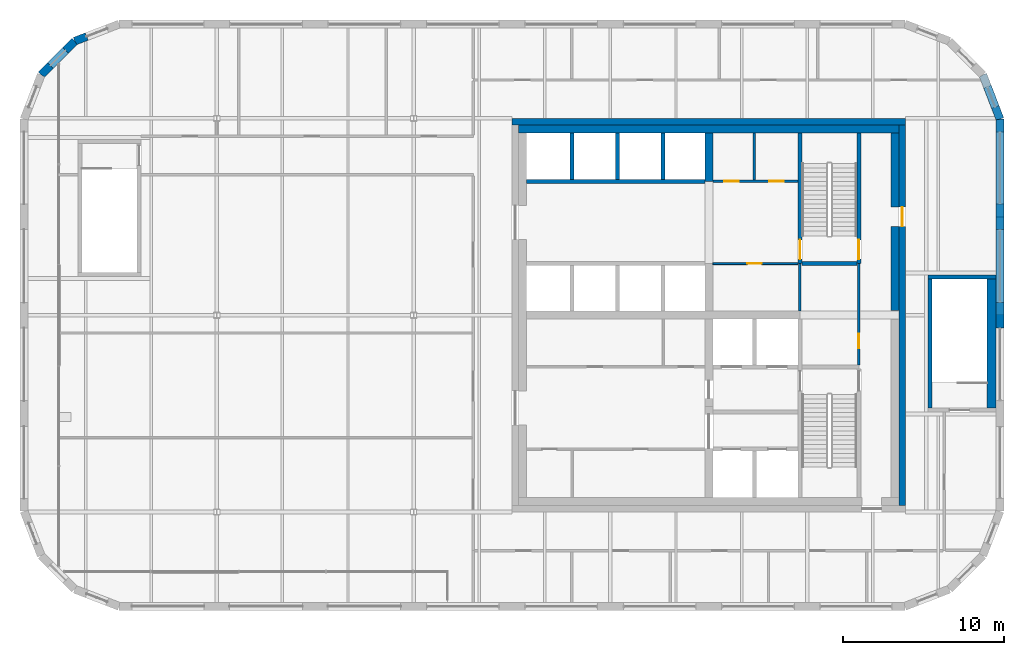
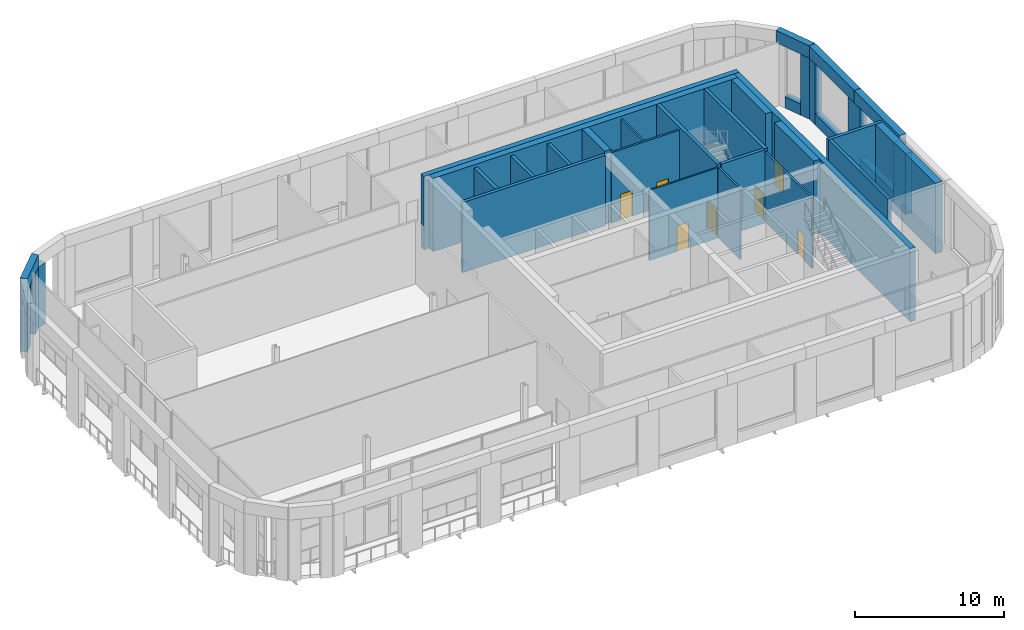
# One storey, part 15 of 19: 35 walls, 7 doors, 7 openings.
"""IFC4 building model written with IfcOpenShell, lengths in metres."""

import ifcopenshell
import ifcopenshell.guid

model = None  # the IFC model being written
_history = None  # IfcOwnerHistory: only IFC2X3 demands one
_inside = {}  # id of a spatial element -> (the spatial element, [elements in it])
_under = {}  # id of a project, library or spatial element -> (it, [spatial elements below it])
_declared = {}  # id of a project -> (the project, [libraries it declares])
_typed = {}  # id of a type object -> (the type object, [elements of that type])
_made_of = {}  # id of a material, layer set ... -> (it, [elements and type objects made of it])


def new_model(schema):
    """Start an empty IFC model of exactly this schema.

    Asked for "IFC4X3", IfcOpenShell would pick the latest addendum, in which some entities
    have other attributes; the version numbers below select the first issue.
    IFC2X3 requires an IfcOwnerHistory on every rooted entity: one is made here for all.
    """
    global model, _history
    if schema == "IFC4X3":
        model = ifcopenshell.file(schema_version=(4, 3, 0, 0))
    else:
        model = ifcopenshell.file(schema=schema)
    _inside.clear()
    _under.clear()
    _declared.clear()
    _typed.clear()
    _made_of.clear()
    _history = None
    if model.schema == "IFC2X3":
        org = make("IfcOrganization", Name="unknown")
        user = make(
            "IfcPersonAndOrganization",
            ThePerson=make("IfcPerson", FamilyName="unknown"),
            TheOrganization=org,
        )
        app = make(
            "IfcApplication",
            ApplicationDeveloper=org,
            Version="unknown",
            ApplicationFullName="unknown",
            ApplicationIdentifier="unknown",
        )
        _history = make(
            "IfcOwnerHistory",
            OwningUser=user,
            OwningApplication=app,
            ChangeAction="ADDED",
            CreationDate=0,
        )
    return model


def make(cls, **values):
    """One entity of the class cls with the attributes given. An attribute that is None is left unset."""
    return model.create_entity(
        cls, **{name: value for name, value in values.items() if value is not None}
    )


def rooted(cls, **values):
    """An entity with a GlobalId (a new one), such as an element, a storey or a relation."""
    return make(cls, GlobalId=ifcopenshell.guid.new(), OwnerHistory=_history, **values)


def si_unit(unit_type, name, prefix=None):
    """IfcSIUnit, for example si_unit("LENGTHUNIT", "METRE", prefix="MILLI")."""
    return make("IfcSIUnit", UnitType=unit_type, Prefix=prefix, Name=name)


def assignment(units):
    """IfcUnitAssignment: the units of a project."""
    return None if units is None else make("IfcUnitAssignment", Units=units)


def point(xyz):
    """IfcCartesianPoint."""
    return None if xyz is None else make("IfcCartesianPoint", Coordinates=xyz)


def direction(xyz):
    """IfcDirection."""
    return None if xyz is None else make("IfcDirection", DirectionRatios=xyz)


def frame(location, z_axis=None, x_axis=None):
    """IfcAxis2Placement3D, a coordinate frame: its origin and axes. An axis left out is left unset."""
    return make(
        "IfcAxis2Placement3D",
        Location=point(location),
        Axis=direction(z_axis),
        RefDirection=direction(x_axis),
    )


def frame_2d(location, x_axis=None):
    """IfcAxis2Placement2D, a coordinate frame in the plane: its origin and x axis."""
    return make(
        "IfcAxis2Placement2D", Location=point(location), RefDirection=direction(x_axis)
    )


def origin():
    """The frame at (0, 0, 0) with its axes left unset."""
    return frame((0.0, 0.0, 0.0))


def place(relative_to, where):
    """IfcLocalPlacement: puts the frame where relative to a parent placement (None: the world)."""
    return make(
        "IfcLocalPlacement", PlacementRelTo=relative_to, RelativePlacement=where
    )


def context(
    kind, dimensions, precision=None, world=None, true_north=None, identifier=None
):
    """IfcGeometricRepresentationContext, for example the 3D "Model" context."""
    return make(
        "IfcGeometricRepresentationContext",
        ContextIdentifier=identifier,
        ContextType=kind,
        CoordinateSpaceDimension=dimensions,
        Precision=precision,
        WorldCoordinateSystem=world,
        TrueNorth=true_north,
    )


def subcontext(parent, identifier, kind, view, scale=None):
    """IfcGeometricRepresentationSubContext, for example "Body" below "Model"."""
    return make(
        "IfcGeometricRepresentationSubContext",
        ContextIdentifier=identifier,
        ContextType=kind,
        ParentContext=parent,
        TargetScale=scale,
        TargetView=view,
    )


def project(units=None, contexts=None):
    """IfcProject with its units and contexts."""
    return rooted(
        "IfcProject",
        Name="project",
        RepresentationContexts=contexts,
        UnitsInContext=assignment(units),
    )


def spatial(cls, under=None, at=None, **own):
    """A site, building, storey or space (cls), placed at a placement, below another one or the project."""
    s = rooted(cls, ObjectPlacement=at, **own)
    if under is not None:
        _under.setdefault(under.id(), (under, []))[1].append(s)
    return s


def polyline(points):
    """IfcPolyline through the points."""
    return make("IfcPolyline", Points=[point(p) for p in points])


def profile(cls, at=None, kind="AREA", **sizes):
    """A parametric profile (cls). Its sizes go by their IFC names, for example OverallWidth=200.0."""
    return make(cls, ProfileType=kind, Position=at, **sizes)


def rectangle(**sizes):
    """IfcRectangleProfileDef."""
    return profile("IfcRectangleProfileDef", **sizes)


def outline(outer, holes=None, kind="AREA"):
    """IfcArbitraryClosedProfileDef: a profile drawn as a closed curve; with holes, ...WithVoids."""
    if holes is None:
        return make("IfcArbitraryClosedProfileDef", ProfileType=kind, OuterCurve=outer)
    return make(
        "IfcArbitraryProfileDefWithVoids",
        ProfileType=kind,
        OuterCurve=outer,
        InnerCurves=holes,
    )


def extrude(swept, where, along, depth):
    """IfcExtrudedAreaSolid: the profile swept, set in the frame where, extruded along a direction by depth."""
    return make(
        "IfcExtrudedAreaSolid",
        SweptArea=swept,
        Position=where,
        ExtrudedDirection=direction(along),
        Depth=depth,
    )


def faces_of(points, faces, orient=None, outer=None):
    """IfcFace entities. A face is a list of loops; a loop is a list of indices into points, from 0.

    orient and outer hold one flag for each loop. By default every Orientation is true, the
    first loop of a face is its IfcFaceOuterBound and the others are IfcFaceBound.
    """
    made = []
    for i, loops in enumerate(faces):
        bounds = []
        for j, loop in enumerate(loops):
            is_outer = j == 0 if outer is None else outer[i][j]
            bounds.append(
                make(
                    "IfcFaceOuterBound" if is_outer else "IfcFaceBound",
                    Bound=make("IfcPolyLoop", Polygon=[points[k] for k in loop]),
                    Orientation=True if orient is None else orient[i][j],
                )
            )
        made.append(make("IfcFace", Bounds=bounds))
    return made


def faceted_brep(points, faces, orient=None, outer=None, voids=None):
    """IfcFacetedBrep: a solid bounded by flat faces; with voids (closed shells), ...WithVoids."""
    shared = [point(p) for p in points]
    hull = make("IfcClosedShell", CfsFaces=faces_of(shared, faces, orient, outer))
    if voids is None:
        return make("IfcFacetedBrep", Outer=hull)
    return make(
        "IfcFacetedBrepWithVoids",
        Outer=hull,
        Voids=[
            make(cls, CfsFaces=faces_of(shared, fs, o, b)) for cls, fs, o, b in voids
        ],
    )


def shape(context_of_items, identifier, shape_type, items):
    """IfcShapeRepresentation: the items that make up one representation, for example the "Body"."""
    return make(
        "IfcShapeRepresentation",
        ContextOfItems=context_of_items,
        RepresentationIdentifier=identifier,
        RepresentationType=shape_type,
        Items=items,
    )


def source(mapping_origin, context_of_items, identifier, shape_type, items):
    """IfcRepresentationMap: a shape defined once, which mapped items show again and again."""
    return make(
        "IfcRepresentationMap",
        MappingOrigin=mapping_origin,
        MappedRepresentation=shape(context_of_items, identifier, shape_type, items),
    )


def transform(
    local_origin,
    x_axis=None,
    y_axis=None,
    z_axis=None,
    scale=None,
    scale2=None,
    scale3=None,
    uniform=True,
):
    """IfcCartesianTransformationOperator3D, or its non-uniform kind. x_axis, y_axis, z_axis: its Axis1, 2, 3."""
    if uniform:
        return make(
            "IfcCartesianTransformationOperator3D",
            Axis1=direction(x_axis),
            Axis2=direction(y_axis),
            LocalOrigin=point(local_origin),
            Scale=scale,
            Axis3=direction(z_axis),
        )
    return make(
        "IfcCartesianTransformationOperator3DnonUniform",
        Axis1=direction(x_axis),
        Axis2=direction(y_axis),
        LocalOrigin=point(local_origin),
        Scale=scale,
        Axis3=direction(z_axis),
        Scale2=scale2,
        Scale3=scale3,
    )


def mapped(mapping_source, mapping_target):
    """IfcMappedItem: shows the shape of a source again, moved by a transform."""
    return make(
        "IfcMappedItem", MappingSource=mapping_source, MappingTarget=mapping_target
    )


def material(Name=None, Category=None):
    """IfcMaterial."""
    return make("IfcMaterial", Name=Name, Category=Category)


def layer(
    of_material, thickness, ventilated=None, Name=None, Category=None, Priority=None
):
    """IfcMaterialLayer: one layer of a wall or slab, of a material (None: an air gap)."""
    return make(
        "IfcMaterialLayer",
        Material=of_material,
        LayerThickness=thickness,
        IsVentilated=ventilated,
        Name=Name,
        Category=Category,
        Priority=Priority,
    )


def layer_set(layers, Name=None):
    """IfcMaterialLayerSet."""
    return make("IfcMaterialLayerSet", MaterialLayers=layers, LayerSetName=Name)


def made_of(thing, what):
    """Note that an element or type object is made of a material, layer set ...; save() writes the relation."""
    if what is not None:
        _made_of.setdefault(what.id(), (what, []))[1].append(thing)
    return thing


def type_object(cls, material=None, **own):
    """A type object (cls), such as IfcWallType, which elements share."""
    return made_of(rooted(cls, **own), material)


def element(
    cls,
    number,
    at=None,
    inside=None,
    cuts=None,
    type_object=None,
    material=None,
    context=None,
    identifier="Body",
    shape_type=None,
    held_by="IfcProductDefinitionShape",
    body=None,
    shapes=None,
    **own,
):
    """One element of the class cls, such as IfcWall. Its Tag is "e" and its number.

    at: its placement. inside: the storey or other place that contains it. cuts: it is an
    opening in that element (IfcRelVoidsElement). A single representation is given by context,
    identifier, shape_type and body (its items); several are given by shapes. held_by: the class
    of the entity that holds the representations. save() writes the other relations.
    """
    e = rooted(cls, Tag="e%d" % number, ObjectPlacement=at, **own)
    if body is not None:
        shapes = [shape(context, identifier, shape_type, body)]
    if shapes is not None:
        e.Representation = make(held_by, Representations=shapes)
    if inside is not None:
        _inside.setdefault(inside.id(), (inside, []))[1].append(e)
    if cuts is not None:
        rooted(
            "IfcRelVoidsElement", RelatingBuildingElement=cuts, RelatedOpeningElement=e
        )
    if type_object is not None:
        _typed.setdefault(type_object.id(), (type_object, []))[1].append(e)
    return made_of(e, material)


def fill(opening, filler):
    """IfcRelFillsElement: the door or window that sits in an opening."""
    return rooted(
        "IfcRelFillsElement",
        RelatingOpeningElement=opening,
        RelatedBuildingElement=filler,
    )


def aggregate(whole, parts):
    """IfcRelAggregates: a whole, such as a stair, and the parts it consists of."""
    return rooted("IfcRelAggregates", RelatingObject=whole, RelatedObjects=parts)


def save(model, path):
    """Write the relations noted so far, then the file.

    IfcRelAggregates (storeys below a building ...), IfcRelContainedInSpatialStructure (elements
    in a storey), IfcRelDefinesByType, IfcRelAssociatesMaterial and IfcRelDeclares: one each for
    every whole, place, type object, material and project.
    """
    for whole, parts in _under.values():
        aggregate(whole, parts)
    for where, things in _inside.values():
        rooted(
            "IfcRelContainedInSpatialStructure",
            RelatedElements=things,
            RelatingStructure=where,
        )
    for kind, things in _typed.values():
        rooted("IfcRelDefinesByType", RelatedObjects=things, RelatingType=kind)
    for what, things in _made_of.values():
        rooted("IfcRelAssociatesMaterial", RelatedObjects=things, RelatingMaterial=what)
    for by, libraries in _declared.values():
        rooted("IfcRelDeclares", RelatingContext=by, RelatedDefinitions=libraries)
    model.write(path)


model = new_model("IFC4")

# Units and contexts
model_context = context("Model", 3, precision=1e-05, world=origin(), true_north=direction((0.0, 1.0)))
body_context = subcontext(model_context, "Body", "Model", "MODEL_VIEW")
ifc_project = project(units=[si_unit("LENGTHUNIT", "METRE"), si_unit("AREAUNIT", "SQUARE_METRE"), si_unit("VOLUMEUNIT", "CUBIC_METRE"), si_unit("PLANEANGLEUNIT", "RADIAN"), si_unit("MASSUNIT", "GRAM", prefix="KILO")], contexts=[model_context])

# Site, building, storey
site_placement = place(None, origin())
site = spatial("IfcSite", under=ifc_project, at=site_placement, CompositionType="ELEMENT")
building_placement = place(site_placement, origin())
building = spatial("IfcBuilding", under=site, at=building_placement, Name="Tessera Gate Towers", CompositionType="ELEMENT")
storey_placement = place(building_placement, frame((0.0, 0.0, 259.699951171875)))
storey = spatial("IfcBuildingStorey", under=building, at=storey_placement, Name="L65", CompositionType="ELEMENT", Elevation=259.699951171875)

# Wall
ifc_material_1 = material(Name="Concrete C40/50", Category="concrete")
ifc_layer_1 = layer(ifc_material_1, 0.25)
ifc_layer_set_1 = layer_set([ifc_layer_1], Name="CORE ENCLOSURE WALL 250")
wall_type_1 = type_object("IfcWallType", Name="CORE ENCLOSURE WALL 250", PredefinedType="SOLIDWALL", material=ifc_layer_set_1)
wall_1_placement = place(storey_placement, frame((31.39990234375, 44.89990234375, 0.0), z_axis=(0.0, 0.0, 1.0), x_axis=(1.0, 0.0, 0.0)))
element("IfcWall", 1, at=wall_1_placement, inside=storey, type_object=wall_type_1, Name="L65 shaft and stair enclosure wall", PredefinedType="SOLIDWALL", context=body_context, shape_type="SweptSolid", body=[
    extrude(rectangle(XDim=11.050048828125, YDim=0.25, at=frame_2d((5.52490234375, 0.0))), origin(), (0.0, 0.0, 1.0), 5.75),
])

# Wall, opening, door
wall_2_placement = place(storey_placement, frame((48.35009765625, 47.89990234375, 0.0), z_axis=(0.0, 0.0, 1.0), x_axis=(0.0, -1.0, 0.0)))
wall_2 = element("IfcWall", 2, at=wall_2_placement, inside=storey, type_object=wall_type_1, Name="L65 shaft and stair enclosure wall", PredefinedType="SOLIDWALL", context=body_context, shape_type="SweptSolid", body=[
    extrude(rectangle(XDim=8.099853515625, YDim=0.25, at=frame_2d((4.0498046875, 0.0))), origin(), (0.0, 0.0, 1.0), 6.0),
])
shared_shape_1 = source(origin(), body_context, "Body", "SweptSolid", [
    extrude(rectangle(XDim=1.199951171875, YDim=2.10009765625, at=frame_2d((0.60009765625, 1.050048828125))), frame((0.0, 0.135009765625, 0.0), z_axis=(0.0, -1.0, 0.0), x_axis=(1.0, 0.0, 0.0)), (0.0, 0.0, 1.0), 0.27001953125),
])
opening_1_placement = place(wall_2_placement, frame((6.625, 0.0, 0.0)))
opening_1 = element("IfcOpeningElement", 3, at=opening_1_placement, cuts=wall_2, Name="Opening SD-ST2-1", PredefinedType="OPENING", context=body_context, shape_type="MappedRepresentation", body=[
    mapped(shared_shape_1, transform((0.0, 0.0, 0.0), scale=1.0)),
])
ifc_material_2 = material(Name="Hollow steel fire door", Category="steel")
door_type_1 = type_object("IfcDoorType", Name="CORE DOOR SD 1200x2100", OperationType="NOTDEFINED", PredefinedType="DOOR", material=ifc_material_2)
shared_shape_2 = source(origin(), body_context, "Body", "SweptSolid", [
    extrude(rectangle(XDim=1.199951171875, YDim=2.10009765625, at=frame_2d((0.60009765625, 1.050048828125))), frame((0.0, 0.02490234375, 0.0), z_axis=(0.0, -1.0, 0.0), x_axis=(1.0, 0.0, 0.0)), (0.0, 0.0, 1.0), 0.050048828125),
])
door_1_placement = place(opening_1_placement, origin())
door_1 = element("IfcDoor", 4, at=door_1_placement, inside=storey, type_object=door_type_1, Name="Stair door", OperationType="SINGLE_SWING_RIGHT", OverallHeight=2.10009765625, OverallWidth=1.199951171875, PredefinedType="DOOR", context=body_context, shape_type="MappedRepresentation", body=[
    mapped(shared_shape_2, transform((0.0, 0.0, 0.0), scale=1.0)),
])
fill(opening_1, door_1)

wall_3_placement = place(storey_placement, frame((52.0, 39.800048828125, 0.0), z_axis=(0.0, 0.0, 1.0), x_axis=(0.0, 1.0, 0.0)))
wall_3 = element("IfcWall", 5, at=wall_3_placement, inside=storey, type_object=wall_type_1, Name="L65 shaft and stair enclosure wall", PredefinedType="SOLIDWALL", context=body_context, shape_type="SweptSolid", body=[
    extrude(rectangle(XDim=8.099853515625, YDim=0.25, at=frame_2d((4.0498046875, 0.0))), origin(), (0.0, 0.0, 1.0), 6.0),
])
opening_2_placement = place(wall_3_placement, frame((0.27490234375, 0.0, 0.0)))
opening_2 = element("IfcOpeningElement", 6, at=opening_2_placement, cuts=wall_3, Name="Opening SD-ST2-2", PredefinedType="OPENING", context=body_context, shape_type="MappedRepresentation", body=[
    mapped(shared_shape_1, transform((0.0, 0.0, 0.0), scale=1.0)),
])
door_2_placement = place(opening_2_placement, origin())
door_2 = element("IfcDoor", 7, at=door_2_placement, inside=storey, type_object=door_type_1, Name="Stair door", OperationType="SINGLE_SWING_LEFT", OverallHeight=2.10009765625, OverallWidth=1.199951171875, PredefinedType="DOOR", context=body_context, shape_type="MappedRepresentation", body=[
    mapped(shared_shape_2, transform((0.0, 0.0, 0.0), scale=1.0)),
])
fill(opening_2, door_2)

# Walls
wall_4_placement = place(storey_placement, frame((48.47509765625, 39.800048828125, 0.0), z_axis=(0.0, 0.0, 1.0), x_axis=(1.0, 0.0, 0.0)))
element("IfcWall", 8, at=wall_4_placement, inside=storey, type_object=wall_type_1, Name="L65 shaft and stair enclosure wall", PredefinedType="SOLIDWALL", context=body_context, shape_type="SweptSolid", body=[
    extrude(rectangle(XDim=3.39990234375, YDim=0.25, at=frame_2d((1.699951171875, 0.0))), origin(), (0.0, 0.0, 1.0), 6.0),
])
for number, where, z_axis, x_axis, name in (
    (9, (34.22509765625, 45.02490234375, 0.0), (0.0, 0.0, 1.0), (0.0, 1.0, 0.0), "L65 shaft and stair enclosure wall"),
    (10, (37.050048828125, 45.02490234375, 0.0), (0.0, 0.0, 1.0), (0.0, 1.0, 0.0), "L65 shaft and stair enclosure wall"),
    (11, (39.875, 45.02490234375, 0.0), (0.0, 0.0, 1.0), (0.0, 1.0, 0.0), "L65 shaft and stair enclosure wall"),
):
    element("IfcWall", number, at=place(storey_placement, frame(where, z_axis=z_axis, x_axis=x_axis)), inside=storey, type_object=wall_type_1, Name=name, PredefinedType="SOLIDWALL", context=body_context, shape_type="SweptSolid", body=[
        extrude(rectangle(XDim=2.875, YDim=0.25, at=frame_2d((1.4375, 0.0))), origin(), (0.0, 0.0, 1.0), 5.75),
    ])
wall_5_placement = place(storey_placement, frame((56.425048828125, 30.85009765625, 0.0), z_axis=(0.0, 0.0, 1.0), x_axis=(0.0, 1.0, 0.0)))
element("IfcWall", 12, at=wall_5_placement, inside=storey, type_object=wall_type_1, Name="L65 ST5 enclosure wall", PredefinedType="SOLIDWALL", context=body_context, shape_type="SweptSolid", body=[
    extrude(rectangle(XDim=8.0, YDim=0.25, at=frame_2d((4.0, 0.0))), origin(), (0.0, 0.0, 1.0), 5.75),
])
wall_6_placement = place(storey_placement, frame((56.300048828125, 38.97509765625, 0.0), z_axis=(0.0, 0.0, 1.0), x_axis=(1.0, 0.0, 0.0)))
element("IfcWall", 13, at=wall_6_placement, inside=storey, type_object=wall_type_1, Name="L65 ST5 enclosure wall", PredefinedType="SOLIDWALL", context=body_context, shape_type="SweptSolid", body=[
    extrude(rectangle(XDim=4.199951171875, YDim=0.25, at=frame_2d((2.10009765625, 0.0))), origin(), (0.0, 0.0, 1.0), 5.75),
])
ifc_material_3 = material(Name="Concrete C40/50", Category="concrete")
ifc_layer_2 = layer(ifc_material_3, 0.550048828125)
ifc_layer_set_2 = layer_set([ifc_layer_2], Name="CORE ENCLOSURE WALL 550")
wall_type_2 = type_object("IfcWallType", Name="CORE ENCLOSURE WALL 550", PredefinedType="SOLIDWALL", material=ifc_layer_set_2)
wall_7_placement = place(storey_placement, frame((60.22509765625, 38.85009765625, 0.0), z_axis=(0.0, 0.0, 1.0), x_axis=(0.0, -1.0, 0.0)))
element("IfcWall", 14, at=wall_7_placement, inside=storey, type_object=wall_type_2, Name="L65 ST5 enclosure wall", PredefinedType="SOLIDWALL", context=body_context, shape_type="SweptSolid", body=[
    extrude(rectangle(XDim=8.0, YDim=0.550048828125, at=frame_2d((4.0, 0.0))), origin(), (0.0, 0.0, 1.0), 5.75),
])

# Wall, opening, door
ifc_material_4 = material(Name="Gypsum board on steel studs", Category="steel")
ifc_layer_3 = layer(ifc_material_4, 0.1201171875)
ifc_layer_set_3 = layer_set([ifc_layer_3], Name="CORE PARTITION 120")
wall_type_3 = type_object("IfcWallType", Name="CORE PARTITION 120", PredefinedType="PARTITIONING", material=ifc_layer_set_3)
wall_8_placement = place(storey_placement, frame((48.22509765625, 39.800048828125, 0.0), z_axis=(0.0, 0.0, 1.0), x_axis=(-1.0, 0.0, 0.0)))
wall_8 = element("IfcWall", 15, at=wall_8_placement, inside=storey, type_object=wall_type_3, Name="L65 core partition", PredefinedType="PARTITIONING", context=body_context, shape_type="SweptSolid", body=[
    extrude(rectangle(XDim=5.275146484375, YDim=0.1201171875, at=frame_2d((2.6376953125, 0.0))), origin(), (0.0, 0.0, 1.0), 5.75),
])
shared_shape_3 = source(origin(), body_context, "Body", "SweptSolid", [
    extrude(rectangle(XDim=0.89990234375, YDim=2.10009765625, at=frame_2d((0.449951171875, 1.050048828125))), frame((0.0, 0.070068359375, 0.0), z_axis=(0.0, -1.0, 0.0), x_axis=(1.0, 0.0, 0.0)), (0.0, 0.0, 1.0), 0.14013671875),
])
opening_3_placement = place(wall_8_placement, frame((2.25, 0.0, 0.0)))
opening_3 = element("IfcOpeningElement", 16, at=opening_3_placement, cuts=wall_8, Name="Opening RD-T1-39-12", PredefinedType="OPENING", context=body_context, shape_type="MappedRepresentation", body=[
    mapped(shared_shape_3, transform((0.0, 0.0, 0.0), scale=1.0)),
])
ifc_material_5 = material(Name="Hollow steel fire door", Category="steel")
door_type_2 = type_object("IfcDoorType", Name="CORE DOOR RD 900x2100", OperationType="NOTDEFINED", PredefinedType="DOOR", material=ifc_material_5)
shared_shape_4 = source(origin(), body_context, "Body", "SweptSolid", [
    extrude(rectangle(XDim=0.89990234375, YDim=2.10009765625, at=frame_2d((0.449951171875, 1.050048828125))), frame((0.0, 0.02490234375, 0.0), z_axis=(0.0, -1.0, 0.0), x_axis=(1.0, 0.0, 0.0)), (0.0, 0.0, 1.0), 0.050048828125),
])
door_3_placement = place(opening_3_placement, origin())
door_3 = element("IfcDoor", 17, at=door_3_placement, inside=storey, type_object=door_type_2, Name="Core room door", OperationType="SINGLE_SWING_RIGHT", OverallHeight=2.10009765625, OverallWidth=0.89990234375, PredefinedType="DOOR", context=body_context, shape_type="MappedRepresentation", body=[
    mapped(shared_shape_4, transform((0.0, 0.0, 0.0), scale=1.0)),
])
fill(opening_3, door_3)

# Wall
ifc_material_6 = material(Name="Concrete C40/50", Category="concrete")
ifc_layer_4 = layer(ifc_material_6, 0.39990234375)
ifc_layer_set_4 = layer_set([ifc_layer_4], Name="CORE SHEAR WALL 400 C40/50")
wall_type_4 = type_object("IfcWallType", Name="CORE SHEAR WALL 400 C40/50", PredefinedType="SHEAR", material=ifc_layer_set_4)
wall_9_placement = place(storey_placement, frame((30.5, 48.60009765625, 0.0), z_axis=(0.0, 0.0, 1.0), x_axis=(1.0, 0.0, 0.0)))
element("IfcWall", 18, at=wall_9_placement, inside=storey, type_object=wall_type_4, Name="Core wall N L65", PredefinedType="SHEAR", context=body_context, shape_type="SweptSolid", body=[
    extrude(rectangle(XDim=24.39990234375, YDim=0.39990234375, at=frame_2d((12.199951171875, 0.0))), origin(), (0.0, 0.0, 1.0), 6.0),
])

# Wall, opening, door
wall_10_placement = place(storey_placement, frame((54.699951171875, 48.39990234375, 0.0), z_axis=(0.0, 0.0, 1.0), x_axis=(0.0, -1.0, 0.0)))
wall_10 = element("IfcWall", 19, at=wall_10_placement, inside=storey, type_object=wall_type_4, Name="Core wall E L65", PredefinedType="SHEAR", context=body_context, shape_type="SweptSolid", body=[
    extrude(rectangle(XDim=23.599853515625, YDim=0.39990234375, at=frame_2d((11.7998046875, 0.0))), origin(), (0.0, 0.0, 1.0), 6.0),
])
shared_shape_5 = source(origin(), body_context, "Body", "SweptSolid", [
    extrude(rectangle(XDim=1.199951171875, YDim=2.10009765625, at=frame_2d((0.60009765625, 1.050048828125))), frame((0.0, 0.2099609375, 0.0), z_axis=(0.0, -1.0, 0.0), x_axis=(1.0, 0.0, 0.0)), (0.0, 0.0, 1.0), 0.419921875),
])
opening_4_placement = place(wall_10_placement, frame((5.10009765625, 0.0, 0.0)))
opening_4 = element("IfcOpeningElement", 20, at=opening_4_placement, cuts=wall_10, Name="Opening ED-T1-39-04", PredefinedType="OPENING", context=body_context, shape_type="MappedRepresentation", body=[
    mapped(shared_shape_5, transform((0.0, 0.0, 0.0), scale=1.0)),
])
ifc_material_7 = material(Name="Hollow steel fire door", Category="steel")
door_type_3 = type_object("IfcDoorType", Name="CORE DOOR ED 1200x2100", OperationType="NOTDEFINED", PredefinedType="DOOR", material=ifc_material_7)
door_4_placement = place(opening_4_placement, origin())
door_4 = element("IfcDoor", 21, at=door_4_placement, inside=storey, type_object=door_type_3, Name="Core exit door", OperationType="SINGLE_SWING_LEFT", OverallHeight=2.10009765625, OverallWidth=1.199951171875, PredefinedType="DOOR", context=body_context, shape_type="MappedRepresentation", body=[
    mapped(shared_shape_2, transform((0.0, 0.0, 0.0), scale=1.0)),
])
fill(opening_4, door_4)

# Walls
ifc_material_8 = material(Name="Concrete C40/50", Category="concrete")
ifc_layer_5 = layer(ifc_material_8, 0.5)
ifc_layer_set_5 = layer_set([ifc_layer_5], Name="CORE SPINE WALL 500 C40/50")
wall_type_5 = type_object("IfcWallType", Name="CORE SPINE WALL 500 C40/50", PredefinedType="SHEAR", material=ifc_layer_set_5)
wall_11_placement = place(storey_placement, frame((42.699951171875, 44.89990234375, 0.0), z_axis=(0.0, 0.0, 1.0), x_axis=(0.0, 1.0, 0.0)))
element("IfcWall", 22, at=wall_11_placement, inside=storey, type_object=wall_type_5, Name="Core wall spine L65", PredefinedType="SHEAR", context=body_context, shape_type="SweptSolid", body=[
    extrude(rectangle(XDim=3.0, YDim=0.5, at=frame_2d((1.5, 0.0))), origin(), (0.0, 0.0, 1.0), 6.0),
])
ifc_material_9 = material(Name="Concrete C40/50", Category="concrete")
ifc_layer_6 = layer(ifc_material_9, 0.5)
ifc_layer_set_6 = layer_set([ifc_layer_6], Name="CORE WALL THICKENING 500")
wall_type_6 = type_object("IfcWallType", Name="CORE WALL THICKENING 500", PredefinedType="SOLIDWALL", material=ifc_layer_set_6)
wall_12_placement = place(storey_placement, frame((30.89990234375, 48.14990234375, 0.0), z_axis=(0.0, 0.0, 1.0), x_axis=(1.0, 0.0, 0.0)))
element("IfcWall", 23, at=wall_12_placement, inside=storey, type_object=wall_type_6, Name="Core wall thickening N L65", PredefinedType="SOLIDWALL", context=body_context, shape_type="SweptSolid", body=[
    extrude(rectangle(XDim=23.60009765625, YDim=0.5, at=frame_2d((11.800048828125, 0.0))), origin(), (0.0, 0.0, 1.0), 6.0),
])
wall_13_placement = place(storey_placement, frame((54.25, 36.8798828125, 0.0), z_axis=(0.0, 0.0, 1.0), x_axis=(0.0, 1.0, 0.0)))
element("IfcWall", 24, at=wall_13_placement, inside=storey, type_object=wall_type_6, Name="Core wall thickening E L65", PredefinedType="SOLIDWALL", context=body_context, shape_type="SweptSolid", body=[
    extrude(rectangle(XDim=5.22021484375, YDim=0.5, at=frame_2d((2.610107421875, 0.0))), origin(), (0.0, 0.0, 1.0), 6.0),
])
wall_14_placement = place(storey_placement, frame((54.25, 43.300048828125, 0.0), z_axis=(0.0, 0.0, 1.0), x_axis=(0.0, 1.0, 0.0)))
element("IfcWall", 25, at=wall_14_placement, inside=storey, type_object=wall_type_6, Name="Core wall thickening E L65", PredefinedType="SOLIDWALL", context=body_context, shape_type="SweptSolid", body=[
    extrude(rectangle(XDim=4.599853515625, YDim=0.5, at=frame_2d((2.2998046875, 0.0))), origin(), (0.0, 0.0, 1.0), 6.0),
])

# Wall, opening, door
ifc_material_10 = material(Name="Gypsum board on steel studs", Category="steel")
ifc_layer_7 = layer(ifc_material_10, 0.14990234375)
ifc_layer_set_7 = layer_set([ifc_layer_7], Name="SERVICE ROOM WALL 150")
wall_type_7 = type_object("IfcWallType", Name="SERVICE ROOM WALL 150", PredefinedType="PARTITIONING", material=ifc_layer_set_7)
wall_15_placement = place(storey_placement, frame((52.0, 33.52490234375, 0.0), z_axis=(0.0, 0.0, 1.0), x_axis=(0.0, 1.0, 0.0)))
wall_15 = element("IfcWall", 26, at=wall_15_placement, inside=storey, type_object=wall_type_7, Name="L65 service room wall", PredefinedType="PARTITIONING", context=body_context, shape_type="SweptSolid", body=[
    extrude(rectangle(XDim=6.275146484375, YDim=0.14990234375, at=frame_2d((3.1376953125, 0.0))), origin(), (0.0, 0.0, 1.0), 5.75),
])
shared_shape_6 = source(origin(), body_context, "Body", "SweptSolid", [
    extrude(rectangle(XDim=0.89990234375, YDim=2.10009765625, at=frame_2d((0.449951171875, 1.050048828125))), frame((0.0, 0.0849609375, 0.0), z_axis=(0.0, -1.0, 0.0), x_axis=(1.0, 0.0, 0.0)), (0.0, 0.0, 1.0), 0.169921875),
])
opening_5_placement = place(wall_15_placement, frame((1.02490234375, 0.0, 0.0)))
opening_5 = element("IfcOpeningElement", 27, at=opening_5_placement, cuts=wall_15, Name="Opening RD-T1-39-11", PredefinedType="OPENING", context=body_context, shape_type="MappedRepresentation", body=[
    mapped(shared_shape_6, transform((0.0, 0.0, 0.0), scale=1.0)),
])
door_5_placement = place(opening_5_placement, origin())
door_5 = element("IfcDoor", 28, at=door_5_placement, inside=storey, type_object=door_type_2, Name="Core room door", OperationType="SINGLE_SWING_LEFT", OverallHeight=2.10009765625, OverallWidth=0.89990234375, PredefinedType="DOOR", context=body_context, shape_type="MappedRepresentation", body=[
    mapped(shared_shape_4, transform((0.0, 0.0, 0.0), scale=1.0)),
])
fill(opening_5, door_5)

# Wall, openings, doors
wall_16_placement = place(storey_placement, frame((42.949951171875, 44.89990234375, 0.0), z_axis=(0.0, 0.0, 1.0), x_axis=(1.0, 0.0, 0.0)))
wall_16 = element("IfcWall", 29, at=wall_16_placement, inside=storey, type_object=wall_type_7, Name="L65 service room wall", PredefinedType="PARTITIONING", context=body_context, shape_type="SweptSolid", body=[
    extrude(rectangle(XDim=5.275146484375, YDim=0.14990234375, at=frame_2d((2.6376953125, 0.0))), origin(), (0.0, 0.0, 1.0), 5.75),
])
opening_6_placement = place(wall_16_placement, frame((0.71240234375, 0.0, 0.0)))
opening_6 = element("IfcOpeningElement", 30, at=opening_6_placement, cuts=wall_16, Name="Opening RD-T1-39-13", PredefinedType="OPENING", context=body_context, shape_type="MappedRepresentation", body=[
    mapped(shared_shape_6, transform((0.0, 0.0, 0.0), scale=1.0)),
])
opening_7_placement = place(wall_16_placement, frame((3.5, 0.0, 0.0)))
opening_7 = element("IfcOpeningElement", 31, at=opening_7_placement, cuts=wall_16, Name="Opening RD-T1-39-14", PredefinedType="OPENING", context=body_context, shape_type="MappedRepresentation", body=[
    mapped(shared_shape_6, transform((0.0, 0.0, 0.0), scale=1.0)),
])
door_6_placement = place(opening_6_placement, origin())
door_6 = element("IfcDoor", 32, at=door_6_placement, inside=storey, type_object=door_type_2, Name="Core room door", OperationType="SINGLE_SWING_LEFT", OverallHeight=2.10009765625, OverallWidth=0.89990234375, PredefinedType="DOOR", context=body_context, shape_type="MappedRepresentation", body=[
    mapped(shared_shape_4, transform((0.0, 0.0, 0.0), scale=1.0)),
])
fill(opening_6, door_6)
door_7_placement = place(opening_7_placement, origin())
door_7 = element("IfcDoor", 33, at=door_7_placement, inside=storey, type_object=door_type_2, Name="Core room door", OperationType="SINGLE_SWING_RIGHT", OverallHeight=2.10009765625, OverallWidth=0.89990234375, PredefinedType="DOOR", context=body_context, shape_type="MappedRepresentation", body=[
    mapped(shared_shape_4, transform((0.0, 0.0, 0.0), scale=1.0)),
])
fill(opening_7, door_7)

# Walls
wall_17_placement = place(storey_placement, frame((48.35009765625, 36.85009765625, 0.0), z_axis=(0.0, 0.0, 1.0), x_axis=(0.0, 1.0, 0.0)))
element("IfcWall", 34, at=wall_17_placement, inside=storey, type_object=wall_type_7, Name="L65 service room wall", PredefinedType="PARTITIONING", context=body_context, shape_type="SweptSolid", body=[
    extrude(rectangle(XDim=2.949951171875, YDim=0.14990234375, at=frame_2d((1.47509765625, 0.0))), origin(), (0.0, 0.0, 1.0), 5.75),
])
wall_18_placement = place(storey_placement, frame((45.52490234375, 44.97509765625, 0.0), z_axis=(0.0, 0.0, 1.0), x_axis=(0.0, 1.0, 0.0)))
element("IfcWall", 35, at=wall_18_placement, inside=storey, type_object=wall_type_7, Name="L65 service room wall", PredefinedType="PARTITIONING", context=body_context, shape_type="SweptSolid", body=[
    extrude(rectangle(XDim=2.9248046875, YDim=0.14990234375, at=frame_2d((1.46240234375, 0.0))), origin(), (0.0, 0.0, 1.0), 5.75),
])
ifc_material_11 = material(Name="Precast concrete C60/75 white", Category="concrete")
ifc_layer_8 = layer(ifc_material_11, 0.5)
ifc_layer_set_8 = layer_set([ifc_layer_8], Name="RB1 ring band panel")
wall_type_8 = type_object("IfcWallType", Name="RB1 ring band panel", PredefinedType="SOLIDWALL", material=ifc_layer_set_8)
shared_shape_7 = source(origin(), body_context, "Body", "SweptSolid", [
    extrude(outline(polyline([(0.0, 0.0), (4.453369140625, 0.0), (4.453369140625, 0.900146484375), (0.0, 0.900146484375), (0.0, 0.0)])), frame((0.0, 0.25, 0.0), z_axis=(0.0, -1.0, 0.0), x_axis=(1.0, 0.0, 0.0)), (0.0, 0.0, 1.0), 0.5),
])
wall_19_placement = place(storey_placement, frame((60.75, 43.5, 0.0), z_axis=(0.0, 0.0, 1.0), x_axis=(0.0, 1.0, 0.0)))
element("IfcWall", 36, at=wall_19_placement, inside=storey, type_object=wall_type_8, Name="Ring band panel T1 RB1-0456", PredefinedType="SOLIDWALL", context=body_context, shape_type="MappedRepresentation", body=[
    mapped(shared_shape_7, transform((0.0, 0.0, 0.0), scale=1.0)),
])
shared_shape_8 = source(origin(), body_context, "Body", "SweptSolid", [
    extrude(outline(polyline([(0.0, 0.0), (4.5, 0.0), (4.5, 0.900146484375), (0.0, 0.900146484375), (0.0, 0.0)])), frame((0.0, 0.25, 0.0), z_axis=(0.0, -1.0, 0.0), x_axis=(1.0, 0.0, 0.0)), (0.0, 0.0, 1.0), 0.5),
])
wall_20_placement = place(storey_placement, frame((60.75, 37.39990234375, 0.0), z_axis=(0.0, 0.0, 1.0), x_axis=(0.0, 1.0, 0.0)))
element("IfcWall", 37, at=wall_20_placement, inside=storey, type_object=wall_type_8, Name="Ring band panel T1 RB1-0454", PredefinedType="SOLIDWALL", context=body_context, shape_type="MappedRepresentation", body=[
    mapped(shared_shape_8, transform((0.0, 0.0, 0.0), scale=1.0)),
])
shared_shape_9 = source(origin(), body_context, "Body", "SweptSolid", [
    extrude(outline(polyline([(0.0, 0.0), (1.3505859375, 0.0), (1.3505859375, 0.900146484375), (0.0, 0.900146484375), (0.0, 0.0)])), frame((0.0, 0.25, 0.0), z_axis=(0.0, -1.0, 0.0), x_axis=(1.0, 0.0, 0.0)), (0.0, 0.0, 1.0), 0.5),
])
wall_21_placement = place(storey_placement, frame((60.462158203125, 49.499755859375, 0.0), z_axis=(0.0, 0.0, 1.0), x_axis=(-0.359923772835, 0.932981713512, 0.0)))
element("IfcWall", 38, at=wall_21_placement, inside=storey, type_object=wall_type_8, Name="Ring band panel T1 RB1-0460", PredefinedType="SOLIDWALL", context=body_context, shape_type="MappedRepresentation", body=[
    mapped(shared_shape_9, transform((0.0, 0.0, 0.0), scale=1.0)),
])
shared_shape_10 = source(origin(), body_context, "Body", "Brep", [
    faceted_brep([(0.0, -0.25, 0.0), (0.800048828125, -0.25, 0.0), (0.800048828125, -0.25, 5.0), (0.0, -0.25, 5.0), (0.046630859375, 0.25, 5.0), (0.800048828125, 0.25, 5.0), (0.800048828125, 0.25, 0.0), (0.046630859375, 0.25, 0.0), (0.0, 0.0, 0.0), (0.0, 0.0, 5.0)], [[[0, 1, 2, 3]], [[4, 5, 6, 7]], [[7, 6, 1, 0, 8]], [[5, 4, 9, 3, 2]], [[8, 0, 3, 9]], [[7, 8, 9, 4]], [[1, 6, 5, 2]]]),
])
wall_22_placement = place(storey_placement, frame((60.75, 48.75341796875, 0.0), z_axis=(0.0, 0.0, 1.0), x_axis=(-0.359735468129, 0.933054335486, 0.0)))
element("IfcWall", 39, at=wall_22_placement, inside=storey, type_object=wall_type_8, Name="Ring band panel T1 RB1-0458", PredefinedType="SOLIDWALL", context=body_context, shape_type="MappedRepresentation", body=[
    mapped(shared_shape_10, transform((0.0, 0.0, 0.0), scale=1.0)),
])
shared_shape_11 = source(origin(), body_context, "Body", "SweptSolid", [
    extrude(outline(polyline([(0.0, 0.0), (1.60009765625, 0.0), (1.60009765625, 5.0), (0.0, 5.0), (0.0, 0.0)])), frame((0.0, 0.25, 0.0), z_axis=(0.0, -1.0, 0.0), x_axis=(1.0, 0.0, 0.0)), (0.0, 0.0, 1.0), 0.5),
])
wall_23_placement = place(storey_placement, frame((60.75, 41.89990234375, 0.0), z_axis=(0.0, 0.0, 1.0), x_axis=(0.0, 1.0, 0.0)))
element("IfcWall", 40, at=wall_23_placement, inside=storey, type_object=wall_type_8, Name="Ring band panel T1 RB1-0448", PredefinedType="SOLIDWALL", context=body_context, shape_type="MappedRepresentation", body=[
    mapped(shared_shape_11, transform((0.0, 0.0, 0.0), scale=1.0)),
])
shared_shape_12 = source(origin(), body_context, "Body", "Brep", [
    faceted_brep([(0.0, -0.25, 0.0), (1.599853515625, -0.25, 0.0), (1.599853515625, -0.25, 5.0), (0.0, -0.25, 5.0), (0.0, 0.25, 5.0), (1.599853515625, 0.25, 5.0), (1.599853515625, 0.25, 0.0), (0.0, 0.25, 0.0)], [[[0, 1, 2, 3]], [[4, 5, 6, 7]], [[7, 6, 1, 0]], [[5, 4, 3, 2]], [[4, 7, 0, 3]], [[1, 6, 5, 2]]]),
])
wall_24_placement = place(storey_placement, frame((60.75, 35.800048828125, 0.0), z_axis=(0.0, 0.0, 1.0), x_axis=(0.0, 1.0, 0.0)))
element("IfcWall", 41, at=wall_24_placement, inside=storey, type_object=wall_type_8, Name="Ring band panel T1 RB1-0447", PredefinedType="SOLIDWALL", context=body_context, shape_type="MappedRepresentation", body=[
    mapped(shared_shape_12, transform((0.0, 0.0, 0.0), scale=1.0)),
])
shared_shape_13 = source(origin(), body_context, "Body", "Brep", [
    faceted_brep([(0.0, -0.25, 0.0), (0.800048828125, -0.25, 0.0), (0.800048828125, -0.25, 5.0), (0.0, -0.25, 5.0), (0.0, 0.25, 5.0), (0.75341796875, 0.25, 5.0), (0.75341796875, 0.25, 0.0), (0.0, 0.25, 0.0), (0.800048828125, -0.000244140625, 0.0), (0.800048828125, -0.000244140625, 5.0)], [[[0, 1, 2, 3]], [[4, 5, 6, 7]], [[7, 6, 8, 1, 0]], [[9, 2, 1, 8]], [[5, 4, 3, 2, 9]], [[4, 7, 0, 3]], [[8, 6, 5, 9]]]),
])
wall_25_placement = place(storey_placement, frame((60.75, 47.953369140625, 0.0), z_axis=(0.0, 0.0, 1.0), x_axis=(0.0, 1.0, 0.0)))
element("IfcWall", 42, at=wall_25_placement, inside=storey, type_object=wall_type_8, Name="Ring band panel T1 RB1-0449", PredefinedType="SOLIDWALL", context=body_context, shape_type="MappedRepresentation", body=[
    mapped(shared_shape_13, transform((0.0, 0.0, 0.0), scale=1.0)),
])
shared_shape_14 = source(origin(), body_context, "Body", "Brep", [
    faceted_brep([(0.0, -0.25, 0.0), (6.099853515625, -0.25, 0.0), (6.099853515625, -0.25, 1.0), (0.0, -0.25, 1.0), (0.0, 0.25, 1.0), (6.099853515625, 0.25, 1.0), (6.099853515625, 0.25, 0.0), (0.0, 0.25, 0.0)], [[[0, 1, 2, 3]], [[4, 5, 6, 7]], [[7, 6, 1, 0]], [[5, 4, 3, 2]], [[4, 7, 0, 3]], [[1, 6, 5, 2]]]),
])
wall_26_placement = place(storey_placement, frame((60.75, 36.60009765625, 5.0), z_axis=(0.0, 0.0, 1.0), x_axis=(0.0, 1.0, 0.0)))
element("IfcWall", 43, at=wall_26_placement, inside=storey, type_object=wall_type_8, Name="Ring band panel T1 RB1-0455", PredefinedType="SOLIDWALL", context=body_context, shape_type="MappedRepresentation", body=[
    mapped(shared_shape_14, transform((0.0, 0.0, 0.0), scale=1.0)),
])
shared_shape_15 = source(origin(), body_context, "Body", "Brep", [
    faceted_brep([(0.0, -0.25, 0.0), (6.053466796875, -0.25, 0.0), (6.053466796875, -0.25, 1.0), (0.0, -0.25, 1.0), (0.0, 0.25, 1.0), (6.0068359375, 0.25, 1.0), (6.0068359375, 0.25, 0.0), (0.0, 0.25, 0.0), (6.053466796875, 0.0, 0.0), (6.053466796875, 0.0, 1.0)], [[[0, 1, 2, 3]], [[4, 5, 6, 7]], [[7, 6, 8, 1, 0]], [[9, 2, 1, 8]], [[5, 4, 3, 2, 9]], [[4, 7, 0, 3]], [[8, 6, 5, 9]]]),
])
wall_27_placement = place(storey_placement, frame((60.75, 42.699951171875, 5.0), z_axis=(0.0, 0.0, 1.0), x_axis=(0.0, 1.0, 0.0)))
element("IfcWall", 44, at=wall_27_placement, inside=storey, type_object=wall_type_8, Name="Ring band panel T1 RB1-0457", PredefinedType="SOLIDWALL", context=body_context, shape_type="MappedRepresentation", body=[
    mapped(shared_shape_15, transform((0.0, 0.0, 0.0), scale=1.0)),
])
shared_shape_16 = source(origin(), body_context, "Body", "Brep", [
    faceted_brep([(0.0, -0.25, 0.0), (0.800048828125, -0.25, 0.0), (0.800048828125, -0.25, 5.0), (0.0, -0.25, 5.0), (0.0, 0.25, 5.0), (0.7470703125, 0.25, 5.0), (0.7470703125, 0.25, 0.0), (0.0, 0.25, 0.0), (0.800048828125, -0.000244140625, 0.0), (0.800048828125, -0.000244140625, 5.0)], [[[0, 1, 2, 3]], [[4, 5, 6, 7]], [[7, 6, 8, 1, 0]], [[9, 2, 1, 8]], [[5, 4, 3, 2, 9]], [[4, 7, 0, 3]], [[8, 6, 5, 9]]]),
])
wall_28_placement = place(storey_placement, frame((4.14013671875, 53.8759765625, 0.0), z_axis=(0.0, 0.0, 1.0), x_axis=(-0.93301483327, -0.3598379092, 0.0)))
element("IfcWall", 45, at=wall_28_placement, inside=storey, type_object=wall_type_8, Name="Ring band panel T1 RB1-0496", PredefinedType="SOLIDWALL", context=body_context, shape_type="MappedRepresentation", body=[
    mapped(shared_shape_16, transform((0.0, 0.0, 0.0), scale=1.0)),
])
shared_shape_17 = source(origin(), body_context, "Body", "Brep", [
    faceted_brep([(0.0, -0.25, 0.0), (2.950439453125, -0.25, 0.0), (2.950439453125, -0.25, 1.0), (0.0, -0.25, 1.0), (0.046630859375, 0.25, 1.0), (2.897705078125, 0.25, 1.0), (2.897705078125, 0.25, 0.0), (0.046630859375, 0.25, 0.0), (2.950439453125, 0.00048828125, 0.0), (0.0, 0.0, 0.0), (2.950439453125, 0.00048828125, 1.0), (0.0, 0.0, 1.0)], [[[0, 1, 2, 3]], [[4, 5, 6, 7]], [[7, 6, 8, 1, 0, 9]], [[10, 2, 1, 8]], [[5, 4, 11, 3, 2, 10]], [[9, 0, 3, 11]], [[7, 9, 11, 4]], [[8, 6, 5, 10]]]),
])
wall_29_placement = place(storey_placement, frame((60.75, 48.75341796875, 5.0), z_axis=(0.0, 0.0, 1.0), x_axis=(-0.359877213415, 0.932999673775, 0.0)))
element("IfcWall", 46, at=wall_29_placement, inside=storey, type_object=wall_type_8, Name="Ring band panel T1 RB1-0461", PredefinedType="SOLIDWALL", context=body_context, shape_type="MappedRepresentation", body=[
    mapped(shared_shape_17, transform((0.0, 0.0, 0.0), scale=1.0)),
])
shared_shape_18 = source(origin(), body_context, "Body", "Brep", [
    faceted_brep([(0.0, -0.25, 0.0), (0.800048828125, -0.25, 0.0), (0.800048828125, -0.25, 5.0), (0.0, -0.25, 5.0), (0.052978515625, 0.25, 5.0), (0.800048828125, 0.25, 5.0), (0.800048828125, 0.25, 0.0), (0.052978515625, 0.25, 0.0), (0.0, 0.0, 0.0), (0.0, 0.0, 5.0)], [[[0, 1, 2, 3]], [[4, 5, 6, 7]], [[7, 6, 1, 0, 8]], [[5, 4, 9, 3, 2]], [[8, 0, 3, 9]], [[7, 8, 9, 4]], [[1, 6, 5, 2]]]),
])
wall_30_placement = place(storey_placement, frame((3.393798828125, 53.588134765625, 0.0), z_axis=(0.0, 0.0, 1.0), x_axis=(-0.707106781187, -0.707106781187, 0.0)))
element("IfcWall", 47, at=wall_30_placement, inside=storey, type_object=wall_type_8, Name="Ring band panel T1 RB1-0498", PredefinedType="SOLIDWALL", context=body_context, shape_type="MappedRepresentation", body=[
    mapped(shared_shape_18, transform((0.0, 0.0, 0.0), scale=1.0)),
])
shared_shape_19 = source(origin(), body_context, "Body", "Brep", [
    faceted_brep([(0.0, -0.25, 0.0), (2.944091796875, -0.25, 0.0), (2.944091796875, -0.25, 1.0), (0.0, -0.25, 1.0), (0.052978515625, 0.25, 1.0), (2.89111328125, 0.25, 1.0), (2.89111328125, 0.25, 0.0), (0.052978515625, 0.25, 0.0), (2.944091796875, 0.000244140625, 0.0), (0.0, 0.0, 0.0), (2.944091796875, 0.000244140625, 1.0), (0.0, 0.0, 1.0)], [[[0, 1, 2, 3]], [[4, 5, 6, 7]], [[7, 6, 8, 1, 0, 9]], [[10, 2, 1, 8]], [[5, 4, 11, 3, 2, 10]], [[9, 0, 3, 11]], [[7, 9, 11, 4]], [[8, 6, 5, 10]]]),
])
wall_31_placement = place(storey_placement, frame((3.393798828125, 53.588134765625, 5.0), z_axis=(0.0, 0.0, 1.0), x_axis=(-0.707106781187, -0.707106781187, 0.0)))
element("IfcWall", 48, at=wall_31_placement, inside=storey, type_object=wall_type_8, Name="Ring band panel T1 RB1-0500", PredefinedType="SOLIDWALL", context=body_context, shape_type="MappedRepresentation", body=[
    mapped(shared_shape_19, transform((0.0, 0.0, 0.0), scale=1.0)),
])
shared_shape_20 = source(origin(), body_context, "Body", "Brep", [
    faceted_brep([(0.0, -0.25, 0.0), (0.800048828125, -0.25, 0.0), (0.800048828125, -0.25, 5.0), (0.0, -0.25, 5.0), (0.0, 0.25, 5.0), (0.7470703125, 0.25, 5.0), (0.7470703125, 0.25, 0.0), (0.0, 0.25, 0.0), (0.800048828125, -0.000244140625, 0.0), (0.800048828125, -0.000244140625, 5.0)], [[[0, 1, 2, 3]], [[4, 5, 6, 7]], [[7, 6, 8, 1, 0]], [[9, 2, 1, 8]], [[5, 4, 3, 2, 9]], [[4, 7, 0, 3]], [[8, 6, 5, 9]]]),
])
wall_32_placement = place(storey_placement, frame((1.877685546875, 52.072021484375, 0.0), z_axis=(0.0, 0.0, 1.0), x_axis=(-0.707259322823, -0.706954206636, 0.0)))
element("IfcWall", 49, at=wall_32_placement, inside=storey, type_object=wall_type_8, Name="Ring band panel T1 RB1-0499", PredefinedType="SOLIDWALL", context=body_context, shape_type="MappedRepresentation", body=[
    mapped(shared_shape_20, transform((0.0, 0.0, 0.0), scale=1.0)),
])

save(model, "model.ifc")
